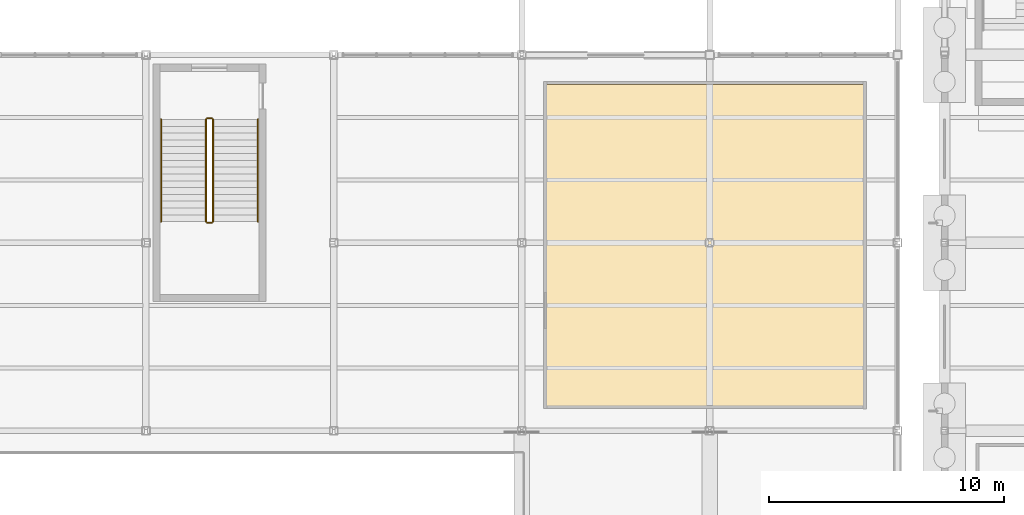
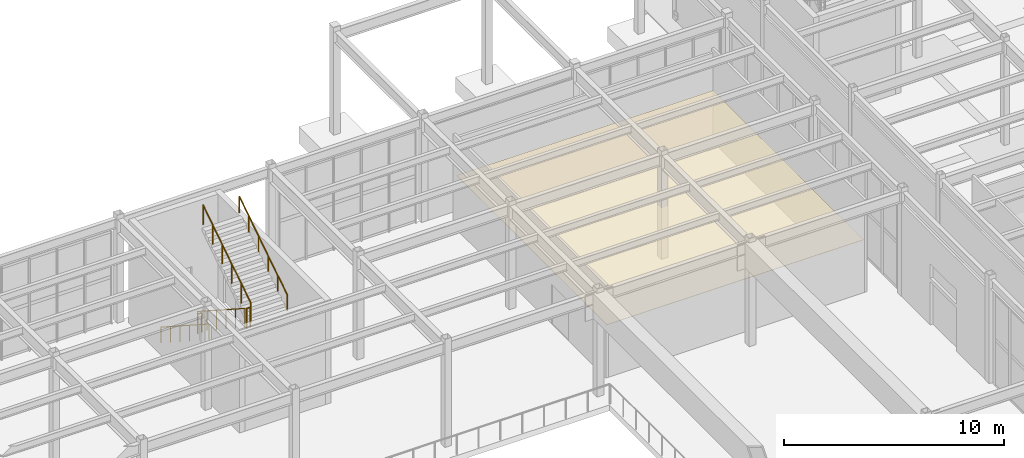
# One storey, part 78 of 82: 6 railings, 1 covering.
"""IFC4 building model written with IfcOpenShell, lengths in metres."""

from ifc_helpers import new_model, si_unit, direction, frame, origin, origin_2d, place, context, subcontext, project, spatial, polyline, circle, outline, extrude, material, layer, layer_set, type_object, element, save


model = new_model("IFC4")

# Units and contexts
model_context = context("Model", 3, precision=1e-05, world=origin(), true_north=direction((0.0, 1.0)))
body_context = subcontext(model_context, "Body", "Model", "MODEL_VIEW")
ifc_project = project(units=[si_unit("LENGTHUNIT", "METRE"), si_unit("AREAUNIT", "SQUARE_METRE"), si_unit("VOLUMEUNIT", "CUBIC_METRE"), si_unit("PLANEANGLEUNIT", "RADIAN"), si_unit("MASSUNIT", "GRAM", prefix="KILO")], contexts=[model_context])

# Site, building, storey
site_placement = place(None, origin())
site = spatial("IfcSite", under=ifc_project, at=site_placement, CompositionType="ELEMENT")
building_placement = place(site_placement, origin())
building = spatial("IfcBuilding", under=site, at=building_placement, Name="Drelvath Fold Interchange", CompositionType="ELEMENT")
storey_placement = place(building_placement, origin())
storey = spatial("IfcBuildingStorey", under=building, at=storey_placement, Name="L00", CompositionType="ELEMENT", Elevation=0.0)

# Covering
ifc_material_1 = material(Name="Perforated Aluminium Acoustic Ceiling", Category="aluminium")
ifc_layer = layer(ifc_material_1, 0.01806640625, Name="Perforated Aluminium Acoustic Ceiling")
ifc_layer_set = layer_set([ifc_layer], Name="Perforated Aluminium Acoustic Ceiling")
covering_type = type_object("IfcCoveringType", Name="CV-CEIL-AL18", PredefinedType="CEILING", material=ifc_layer_set)
covering_placement = place(storey_placement, frame((0.0, 0.0, 2.830078125)))
element("IfcCovering", 1, at=covering_placement, inside=storey, type_object=covering_type, Name="First-Class Regional Rail Lounge acoustic ceiling", PredefinedType="CEILING", context=body_context, shape_type="SweptSolid", body=[
    extrude(outline(polyline([(85.054931640625, 84.054931640625), (98.544921875, 84.054931640625), (98.544921875, 97.7451171875), (85.054931640625, 97.7451171875), (85.054931640625, 84.054931640625)])), origin(), (0.0, 0.0, 1.0), 0.02001953125),
])

# Railings
ifc_material_2 = material(Name="Stainless Steel 316L", Category="steel")
railing_type_1 = type_object("IfcRailingType", Name="RL-GRD1100", PredefinedType="GUARDRAIL", material=ifc_material_2)
railing_1_placement = place(storey_placement, frame((70.56005859375, 96.25, 0.1875)))
element("IfcRailing", 2, at=railing_1_placement, inside=storey, type_object=railing_type_1, Name="L00 ST-06 stair guard 1", PredefinedType="GUARDRAIL", context=body_context, shape_type="SweptSolid", body=[
    extrude(circle(Radius=0.02392578125, at=origin_2d()), frame((0.0, 0.0, 1.076171875), z_axis=(0.0, -0.839769887392, 0.54294247967), x_axis=(1.0, 0.0, 0.0)), (0.0, 0.0, 1.0), 5.18017578125),
    extrude(circle(Radius=0.02099609375, at=origin_2d()), origin(), (0.0, 0.0, 1.0), 1.052001953125),
    extrude(circle(Radius=0.02099609375, at=origin_2d()), frame((0.0, -0.8701171875, 0.5625)), (0.0, 0.0, 1.0), 1.052001953125),
    extrude(circle(Radius=0.02099609375, at=origin_2d()), frame((0.0, -1.739990234375, 1.125)), (0.0, 0.0, 1.0), 1.052001953125),
    extrude(circle(Radius=0.02099609375, at=origin_2d()), frame((0.0, -2.610107421875, 1.6875)), (0.0, 0.0, 1.0), 1.052001953125),
    extrude(circle(Radius=0.02099609375, at=origin_2d()), frame((0.0, -3.47998046875, 2.25)), (0.0, 0.0, 1.0), 1.052001953125),
    extrude(circle(Radius=0.02099609375, at=origin_2d()), frame((0.0, -4.35009765625, 2.8125)), (0.0, 0.0, 1.0), 1.052001953125),
])
railing_2_placement = place(storey_placement, frame((70.610107421875, 91.85009765625, 3.0)))
element("IfcRailing", 3, at=railing_2_placement, inside=storey, type_object=railing_type_1, Name="L00 ST-06 stair guard 2", PredefinedType="GUARDRAIL", context=body_context, shape_type="SweptSolid", body=[
    extrude(circle(Radius=0.02392578125, at=origin_2d()), frame((0.0, 0.0, 1.076171875), z_axis=(1.0, 0.0, 0.0), x_axis=(0.0, 1.0, 0.0)), (0.0, 0.0, 1.0), 0.199951171875),
    extrude(circle(Radius=0.02099609375, at=origin_2d()), origin(), (0.0, 0.0, 1.0), 1.052001953125),
    extrude(circle(Radius=0.02099609375, at=origin_2d()), frame((0.199951171875, 0.0, 0.0)), (0.0, 0.0, 1.0), 1.052001953125),
])
railing_3_placement = place(storey_placement, frame((70.860107421875, 91.89990234375, 3.1875)))
element("IfcRailing", 4, at=railing_3_placement, inside=storey, type_object=railing_type_1, Name="L00 ST-06 stair guard 3", PredefinedType="GUARDRAIL", context=body_context, shape_type="SweptSolid", body=[
    extrude(circle(Radius=0.02392578125, at=origin_2d()), frame((0.0, 0.0, 1.076171875), z_axis=(0.0, 0.839769887392, 0.54294247967), x_axis=(-1.0, 0.0, 0.0)), (0.0, 0.0, 1.0), 5.18017578125),
    extrude(circle(Radius=0.02099609375, at=origin_2d()), origin(), (0.0, 0.0, 1.0), 1.052001953125),
    extrude(circle(Radius=0.02099609375, at=origin_2d()), frame((0.0, 0.8701171875, 0.5625)), (0.0, 0.0, 1.0), 1.052001953125),
    extrude(circle(Radius=0.02099609375, at=origin_2d()), frame((0.0, 1.739990234375, 1.125)), (0.0, 0.0, 1.0), 1.052001953125),
    extrude(circle(Radius=0.02099609375, at=origin_2d()), frame((0.0, 2.610107421875, 1.6875)), (0.0, 0.0, 1.0), 1.052001953125),
    extrude(circle(Radius=0.02099609375, at=origin_2d()), frame((0.0, 3.47998046875, 2.25)), (0.0, 0.0, 1.0), 1.052001953125),
    extrude(circle(Radius=0.02099609375, at=origin_2d()), frame((0.0, 4.35009765625, 2.8125)), (0.0, 0.0, 1.0), 1.052001953125),
])
railing_4_placement = place(storey_placement, frame((70.610107421875, 96.300048828125, 0.0)))
element("IfcRailing", 5, at=railing_4_placement, inside=storey, type_object=railing_type_1, Name="L00 ST-06 stair guard 4", PredefinedType="GUARDRAIL", context=body_context, shape_type="SweptSolid", body=[
    extrude(circle(Radius=0.02392578125, at=origin_2d()), frame((0.0, 0.0, 1.076171875), z_axis=(1.0, 0.0, 0.0), x_axis=(0.0, 1.0, 0.0)), (0.0, 0.0, 1.0), 0.199951171875),
    extrude(circle(Radius=0.02099609375, at=origin_2d()), origin(), (0.0, 0.0, 1.0), 1.052001953125),
    extrude(circle(Radius=0.02099609375, at=origin_2d()), frame((0.199951171875, 0.0, 0.0)), (0.0, 0.0, 1.0), 1.052001953125),
])
railing_type_2 = type_object("IfcRailingType", Name="RL-HND920", PredefinedType="HANDRAIL", material=ifc_material_2)
railing_5_placement = place(storey_placement, frame((68.64990234375, 96.25, 0.1875)))
element("IfcRailing", 6, at=railing_5_placement, inside=storey, type_object=railing_type_2, Name="L00 ST-06 stair handrail 1", PredefinedType="HANDRAIL", context=body_context, shape_type="SweptSolid", body=[
    extrude(circle(Radius=0.02392578125, at=origin_2d()), frame((0.0, 0.0, 0.8759765625), z_axis=(0.0, -0.839769887392, 0.54294247967), x_axis=(1.0, 0.0, 0.0)), (0.0, 0.0, 1.0), 5.18017578125),
    extrude(circle(Radius=0.02099609375, at=origin_2d()), origin(), (0.0, 0.0, 1.0), 0.851806640625),
    extrude(circle(Radius=0.02099609375, at=origin_2d()), frame((0.0, -0.8701171875, 0.5625)), (0.0, 0.0, 1.0), 0.851806640625),
    extrude(circle(Radius=0.02099609375, at=origin_2d()), frame((0.0, -1.739990234375, 1.125)), (0.0, 0.0, 1.0), 0.851806640625),
    extrude(circle(Radius=0.02099609375, at=origin_2d()), frame((0.0, -2.610107421875, 1.6875)), (0.0, 0.0, 1.0), 0.851806640625),
    extrude(circle(Radius=0.02099609375, at=origin_2d()), frame((0.0, -3.47998046875, 2.25)), (0.0, 0.0, 1.0), 0.851806640625),
    extrude(circle(Radius=0.02099609375, at=origin_2d()), frame((0.0, -4.35009765625, 2.8125)), (0.0, 0.0, 1.0), 0.851806640625),
])
railing_6_placement = place(storey_placement, frame((72.77001953125, 91.89990234375, 3.1875)))
element("IfcRailing", 7, at=railing_6_placement, inside=storey, type_object=railing_type_2, Name="L00 ST-06 stair handrail 2", PredefinedType="HANDRAIL", context=body_context, shape_type="SweptSolid", body=[
    extrude(circle(Radius=0.02392578125, at=origin_2d()), frame((0.0, 0.0, 0.8759765625), z_axis=(0.0, 0.839769887392, 0.54294247967), x_axis=(-1.0, 0.0, 0.0)), (0.0, 0.0, 1.0), 5.18017578125),
    extrude(circle(Radius=0.02099609375, at=origin_2d()), origin(), (0.0, 0.0, 1.0), 0.851806640625),
    extrude(circle(Radius=0.02099609375, at=origin_2d()), frame((0.0, 0.8701171875, 0.5625)), (0.0, 0.0, 1.0), 0.851806640625),
    extrude(circle(Radius=0.02099609375, at=origin_2d()), frame((0.0, 1.739990234375, 1.125)), (0.0, 0.0, 1.0), 0.851806640625),
    extrude(circle(Radius=0.02099609375, at=origin_2d()), frame((0.0, 2.610107421875, 1.6875)), (0.0, 0.0, 1.0), 0.851806640625),
    extrude(circle(Radius=0.02099609375, at=origin_2d()), frame((0.0, 3.47998046875, 2.25)), (0.0, 0.0, 1.0), 0.851806640625),
    extrude(circle(Radius=0.02099609375, at=origin_2d()), frame((0.0, 4.35009765625, 2.8125)), (0.0, 0.0, 1.0), 0.851806640625),
])

save(model, "model.ifc")
